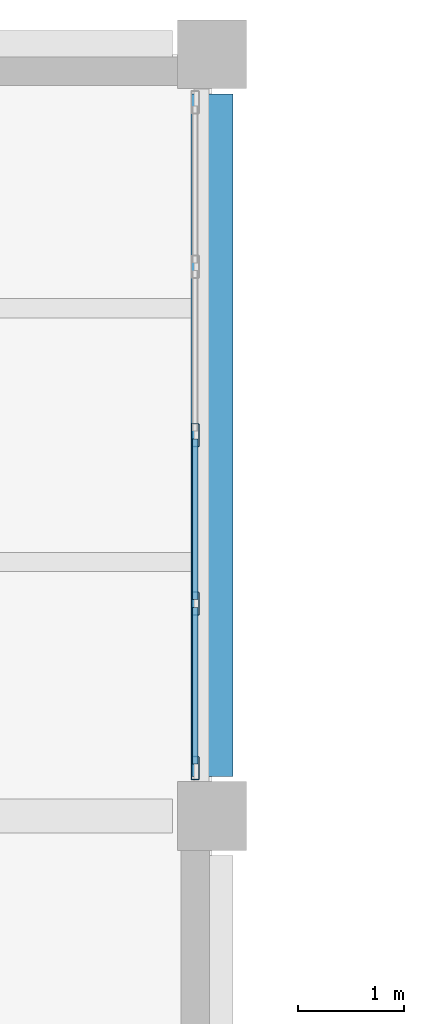
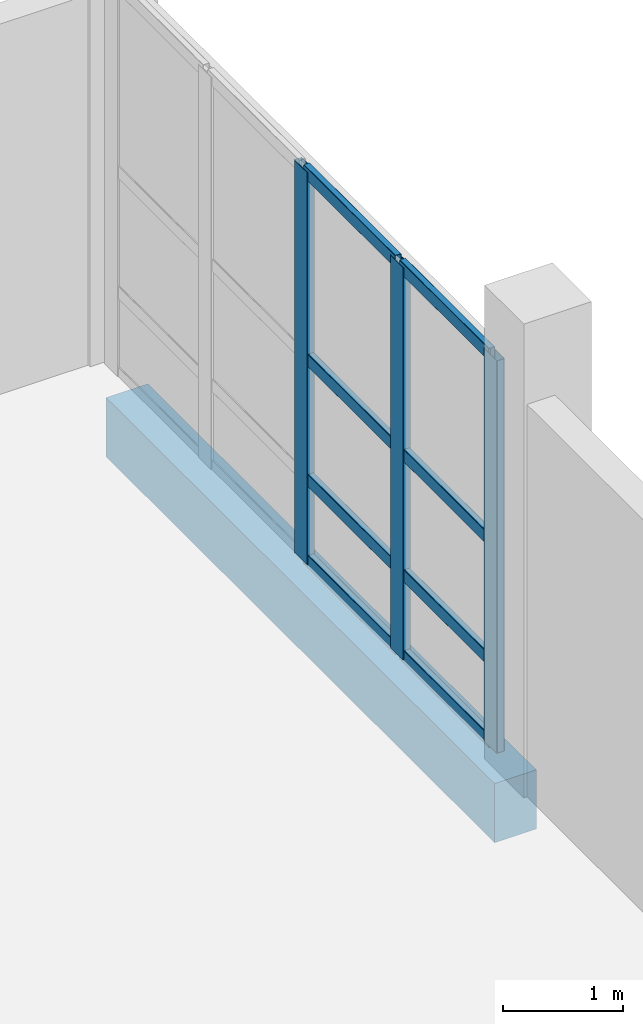
# One storey, part 73 of 127: 11 members, 1 beam, 1 element without a shape of its own.
"""IFC4 building model written with IfcOpenShell, lengths in metres."""

from ifc_helpers import new_model, si_unit, direction, frame, origin, origin_2d, place, context, subcontext, project, spatial, rectangle, hollow_rectangle, extrude, material, material_profile, profile_set, type_object, element, aggregate, save


model = new_model("IFC4")

# Units and contexts
model_context = context("Model", 3, precision=1e-05, world=origin(), true_north=direction((0.0, 1.0)))
body_context = subcontext(model_context, "Body", "Model", "MODEL_VIEW")
ifc_project = project(units=[si_unit("LENGTHUNIT", "METRE"), si_unit("AREAUNIT", "SQUARE_METRE"), si_unit("VOLUMEUNIT", "CUBIC_METRE"), si_unit("PLANEANGLEUNIT", "RADIAN"), si_unit("MASSUNIT", "GRAM", prefix="KILO")], contexts=[model_context])

# Site, building, storey
site_placement = place(None, origin())
site = spatial("IfcSite", under=ifc_project, at=site_placement, CompositionType="ELEMENT")
building_placement = place(site_placement, origin())
building = spatial("IfcBuilding", under=site, at=building_placement, Name="Kalmorath City Hall", CompositionType="ELEMENT")
storey_placement = place(building_placement, frame((0.0, 0.0, 5.39990234375)))
storey = spatial("IfcBuildingStorey", under=building, at=storey_placement, Name="L01", CompositionType="ELEMENT", Elevation=5.39990234375)

# Beam
ifc_material_1 = material(Name="Concrete C40/50", Category="concrete")
ifc_material_profile_1 = material_profile(ifc_material_1, rectangle(XDim=0.39990234375, YDim=0.60009765625, at=origin_2d()), Name="RC-BM-400X600")
ifc_profile_set_1 = profile_set([ifc_material_profile_1], Name="Concrete C40/50")
beam_type = type_object("IfcBeamType", Name="Concrete edge beam 400x600", PredefinedType="SPANDREL", material=ifc_profile_set_1)
beam_placement = place(storey_placement, frame((129.60009765625, 108.375, -0.6240234375), z_axis=(0.0, 1.0, 0.0), x_axis=(-1.0, 0.0, 0.0)))
element("IfcBeam", 1, at=beam_placement, inside=storey, type_object=beam_type, Name="L01 girder CB6 Y19/16-17", PredefinedType="SPANDREL", context=body_context, shape_type="SweptSolid", body=[
    extrude(rectangle(XDim=0.39990234375, YDim=0.60009765625, at=origin_2d()), origin(), (0.0, 0.0, 1.0), 6.449951171875),
])

# Curtain wall, members
ifc_material_2 = material(Name="Anodised aluminium and laminated glass", Category="aluminium")
curtain_wall_type = type_object("IfcCurtainWallType", Name="Unitised hurricane curtain wall 6370x3976 M1650", PredefinedType="NOTDEFINED", material=ifc_material_2)
curtain_wall_placement = place(storey_placement, origin())
curtain_wall = element("IfcCurtainWall", 2, at=curtain_wall_placement, inside=storey, type_object=curtain_wall_type, Name="L01 curtain wall CW-64X40M16 #59", PredefinedType="NOTDEFINED")
ifc_material_3 = material(Name="Anodised aluminium framing", Category="aluminium")
ifc_material_profile_2 = material_profile(ifc_material_3, hollow_rectangle(XDim=0.06005859375, YDim=0.1298828125, WallThickness=0.00341796875, InnerFilletRadius=0.00341796875, OuterFilletRadius=0.007080078125, at=origin_2d()), Name="ALU-TRN-130X60X3.5")
ifc_profile_set_2 = profile_set([ifc_material_profile_2], Name="Anodised aluminium framing")
member_type_1 = type_object("IfcMemberType", Name="Curtain-wall courtyard transom 130x60", PredefinedType="USERDEFINED", material=ifc_profile_set_2)
member_1_placement = place(storey_placement, frame((129.43994140625, 111.5625, 0.030029296875), z_axis=(0.0, -1.0, 0.0), x_axis=(1.0, 0.0, 0.0)))
member_1 = element("IfcMember", 3, at=member_1_placement, type_object=member_type_1, Name="CW-64X40M16 transom 3.1", ObjectType="TRANSOM", PredefinedType="USERDEFINED", context=body_context, shape_type="SweptSolid", body=[
    extrude(hollow_rectangle(XDim=0.06005859375, YDim=0.1298828125, WallThickness=0.00341796875, InnerFilletRadius=0.00341796875, OuterFilletRadius=0.007080078125, at=origin_2d()), origin(), (0.0, 0.0, 1.0), 1.517578125),
])
member_2_placement = place(storey_placement, frame((129.43994140625, 111.5625, 0.85009765625), z_axis=(0.0, -1.0, 0.0), x_axis=(1.0, 0.0, 0.0)))
member_2 = element("IfcMember", 4, at=member_2_placement, type_object=member_type_1, Name="CW-64X40M16 transom 3.2", ObjectType="TRANSOM", PredefinedType="USERDEFINED", context=body_context, shape_type="SweptSolid", body=[
    extrude(hollow_rectangle(XDim=0.06005859375, YDim=0.1298828125, WallThickness=0.00341796875, InnerFilletRadius=0.00341796875, OuterFilletRadius=0.007080078125, at=origin_2d()), origin(), (0.0, 0.0, 1.0), 1.517578125),
])
member_3_placement = place(storey_placement, frame((129.43994140625, 111.5625, 2.068115234375), z_axis=(0.0, -1.0, 0.0), x_axis=(1.0, 0.0, 0.0)))
member_3 = element("IfcMember", 5, at=member_3_placement, type_object=member_type_1, Name="CW-64X40M16 transom 3.3", ObjectType="TRANSOM", PredefinedType="USERDEFINED", context=body_context, shape_type="SweptSolid", body=[
    extrude(hollow_rectangle(XDim=0.06005859375, YDim=0.1298828125, WallThickness=0.00341796875, InnerFilletRadius=0.00341796875, OuterFilletRadius=0.007080078125, at=origin_2d()), origin(), (0.0, 0.0, 1.0), 1.517578125),
])
member_4_placement = place(storey_placement, frame((129.43994140625, 111.5625, 3.946044921875), z_axis=(0.0, -1.0, 0.0), x_axis=(1.0, 0.0, 0.0)))
member_4 = element("IfcMember", 6, at=member_4_placement, type_object=member_type_1, Name="CW-64X40M16 transom 3.4", ObjectType="TRANSOM", PredefinedType="USERDEFINED", context=body_context, shape_type="SweptSolid", body=[
    extrude(hollow_rectangle(XDim=0.06005859375, YDim=0.1298828125, WallThickness=0.00341796875, InnerFilletRadius=0.00341796875, OuterFilletRadius=0.007080078125, at=origin_2d()), origin(), (0.0, 0.0, 1.0), 1.517578125),
])
member_5_placement = place(storey_placement, frame((129.43994140625, 109.969970703125, 0.030029296875), z_axis=(0.0, -1.0, 0.0), x_axis=(1.0, 0.0, 0.0)))
member_5 = element("IfcMember", 7, at=member_5_placement, type_object=member_type_1, Name="CW-64X40M16 transom 4.1", ObjectType="TRANSOM", PredefinedType="USERDEFINED", context=body_context, shape_type="SweptSolid", body=[
    extrude(hollow_rectangle(XDim=0.06005859375, YDim=0.1298828125, WallThickness=0.00341796875, InnerFilletRadius=0.00341796875, OuterFilletRadius=0.007080078125, at=origin_2d()), origin(), (0.0, 0.0, 1.0), 1.47998046875),
])
member_6_placement = place(storey_placement, frame((129.43994140625, 109.969970703125, 0.85009765625), z_axis=(0.0, -1.0, 0.0), x_axis=(1.0, 0.0, 0.0)))
member_6 = element("IfcMember", 8, at=member_6_placement, type_object=member_type_1, Name="CW-64X40M16 transom 4.2", ObjectType="TRANSOM", PredefinedType="USERDEFINED", context=body_context, shape_type="SweptSolid", body=[
    extrude(hollow_rectangle(XDim=0.06005859375, YDim=0.1298828125, WallThickness=0.00341796875, InnerFilletRadius=0.00341796875, OuterFilletRadius=0.007080078125, at=origin_2d()), origin(), (0.0, 0.0, 1.0), 1.47998046875),
])
member_7_placement = place(storey_placement, frame((129.43994140625, 109.969970703125, 2.068115234375), z_axis=(0.0, -1.0, 0.0), x_axis=(1.0, 0.0, 0.0)))
member_7 = element("IfcMember", 9, at=member_7_placement, type_object=member_type_1, Name="CW-64X40M16 transom 4.3", ObjectType="TRANSOM", PredefinedType="USERDEFINED", context=body_context, shape_type="SweptSolid", body=[
    extrude(hollow_rectangle(XDim=0.06005859375, YDim=0.1298828125, WallThickness=0.00341796875, InnerFilletRadius=0.00341796875, OuterFilletRadius=0.007080078125, at=origin_2d()), origin(), (0.0, 0.0, 1.0), 1.47998046875),
])
member_8_placement = place(storey_placement, frame((129.43994140625, 109.969970703125, 3.946044921875), z_axis=(0.0, -1.0, 0.0), x_axis=(1.0, 0.0, 0.0)))
member_8 = element("IfcMember", 10, at=member_8_placement, type_object=member_type_1, Name="CW-64X40M16 transom 4.4", ObjectType="TRANSOM", PredefinedType="USERDEFINED", context=body_context, shape_type="SweptSolid", body=[
    extrude(hollow_rectangle(XDim=0.06005859375, YDim=0.1298828125, WallThickness=0.00341796875, InnerFilletRadius=0.00341796875, OuterFilletRadius=0.007080078125, at=origin_2d()), origin(), (0.0, 0.0, 1.0), 1.47998046875),
])
ifc_material_4 = material(Name="Anodised aluminium framing", Category="aluminium")
ifc_material_profile_3 = material_profile(ifc_material_4, hollow_rectangle(XDim=0.074951171875, YDim=0.219970703125, WallThickness=0.00390625, InnerFilletRadius=0.00390625, OuterFilletRadius=0.008056640625, at=origin_2d()), Name="ALU-MUL-220X75X4")
ifc_profile_set_3 = profile_set([ifc_material_profile_3], Name="Anodised aluminium framing")
member_type_2 = type_object("IfcMemberType", Name="Curtain-wall primary mullion 220x75", PredefinedType="MULLION", material=ifc_profile_set_3)
member_9_placement = place(storey_placement, frame((129.43994140625, 111.60009765625, 0.0), z_axis=(0.0, 0.0, 1.0), x_axis=(1.0, 0.0, 0.0)))
member_9 = element("IfcMember", 11, at=member_9_placement, type_object=member_type_2, Name="CW-64X40M16 mullion 3", PredefinedType="MULLION", context=body_context, shape_type="SweptSolid", body=[
    extrude(hollow_rectangle(XDim=0.074951171875, YDim=0.219970703125, WallThickness=0.00390625, InnerFilletRadius=0.00390625, OuterFilletRadius=0.008056640625, at=origin_2d()), origin(), (0.0, 0.0, 1.0), 3.97607421875),
])
member_10_placement = place(storey_placement, frame((129.43994140625, 110.007568359375, 0.0), z_axis=(0.0, 0.0, 1.0), x_axis=(1.0, 0.0, 0.0)))
member_10 = element("IfcMember", 12, at=member_10_placement, type_object=member_type_2, Name="CW-64X40M16 mullion 4", PredefinedType="MULLION", context=body_context, shape_type="SweptSolid", body=[
    extrude(hollow_rectangle(XDim=0.074951171875, YDim=0.219970703125, WallThickness=0.00390625, InnerFilletRadius=0.00390625, OuterFilletRadius=0.008056640625, at=origin_2d()), origin(), (0.0, 0.0, 1.0), 3.97607421875),
])
member_11_placement = place(storey_placement, frame((129.43994140625, 108.452392578125, 0.0), z_axis=(0.0, 0.0, 1.0), x_axis=(1.0, 0.0, 0.0)))
member_11 = element("IfcMember", 13, at=member_11_placement, type_object=member_type_2, Name="CW-64X40M16 mullion 5", PredefinedType="MULLION", context=body_context, shape_type="SweptSolid", body=[
    extrude(hollow_rectangle(XDim=0.074951171875, YDim=0.219970703125, WallThickness=0.00390625, InnerFilletRadius=0.00390625, OuterFilletRadius=0.008056640625, at=origin_2d()), origin(), (0.0, 0.0, 1.0), 3.97607421875),
])
aggregate(curtain_wall, [member_9, member_10, member_11, member_1, member_2, member_3, member_4, member_5, member_6, member_7, member_8])

save(model, "model.ifc")
